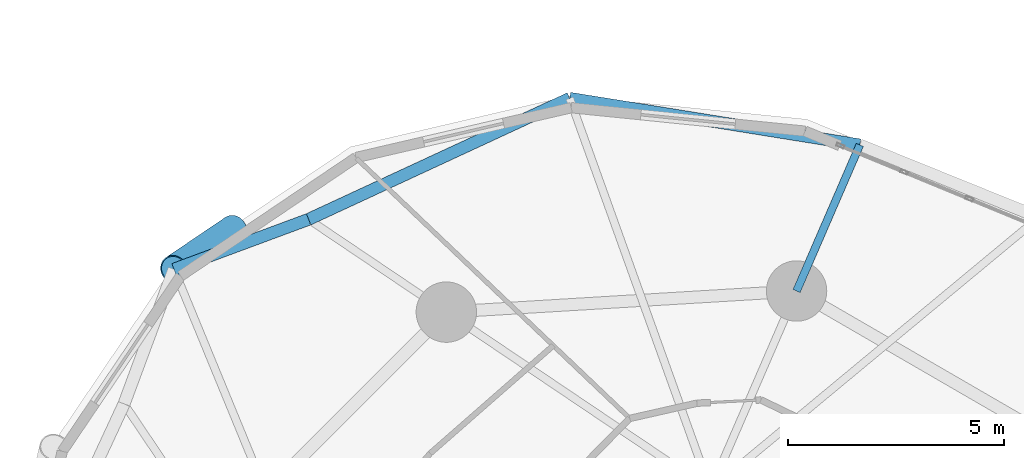
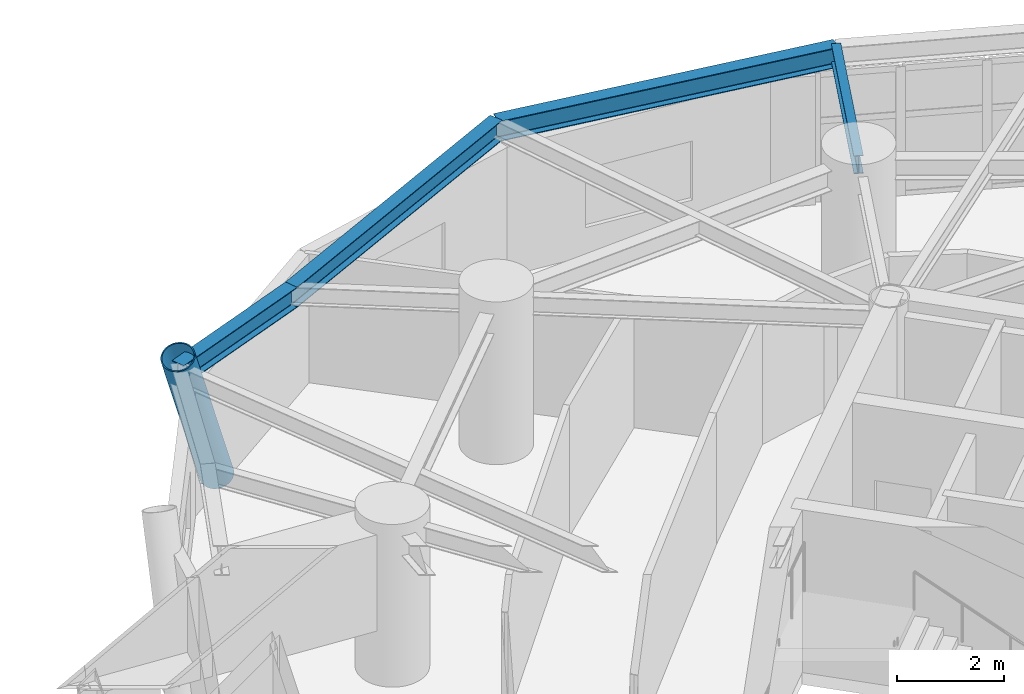
# One storey, part 6 of 17: 4 beams, 1 member.
"""IFC4 building model written with IfcOpenShell, lengths in metres."""

from ifc_helpers import new_model, si_unit, direction, frame, origin, origin_2d, place, context, subcontext, project, spatial, hollow_circle, i_section, extrude, material, material_profile, profile_set, type_object, element, save


model = new_model("IFC4")

# Units and contexts
model_context = context("Model", 3, precision=1e-05, world=origin(), true_north=direction((0.0, 1.0)))
body_context = subcontext(model_context, "Body", "Model", "MODEL_VIEW")
ifc_project = project(units=[si_unit("LENGTHUNIT", "METRE"), si_unit("AREAUNIT", "SQUARE_METRE"), si_unit("VOLUMEUNIT", "CUBIC_METRE"), si_unit("PLANEANGLEUNIT", "RADIAN"), si_unit("MASSUNIT", "GRAM", prefix="KILO")], contexts=[model_context])

# Site, building, storey
site_placement = place(None, origin())
site = spatial("IfcSite", under=ifc_project, at=site_placement, CompositionType="ELEMENT")
building_placement = place(site_placement, origin())
building = spatial("IfcBuilding", under=site, at=building_placement, Name="Cununo Teusaquillo Station Towers", CompositionType="ELEMENT")
storey_placement = place(building_placement, frame((0.0, 0.0, 125.43994140625)))
storey = spatial("IfcBuildingStorey", under=building, at=storey_placement, Name="L40", CompositionType="ELEMENT", Elevation=125.43994140625)

# Beams
ifc_material_1 = material(Name="Steel ASTM A572 Grade 50", Category="steel")
ifc_material_profile_1 = material_profile(ifc_material_1, i_section(OverallWidth=0.180908203125, OverallDepth=0.4169921875, WebThickness=0.010986328125, FlangeThickness=0.018310546875, FilletRadius=0.012939453125, at=origin_2d()), Name="W16X57")
ifc_profile_set_1 = profile_set([ifc_material_profile_1], Name="Steel ASTM A572 Grade 50")
beam_type_1 = type_object("IfcBeamType", Name="BM-RAD-G2", PredefinedType="BEAM", material=ifc_profile_set_1)
beam_1_placement = place(storey_placement, frame((58.291015625, 37.63525390625, 3.2314453125), z_axis=(0.397421761279, 0.917636062751, 0.0), x_axis=(-0.917636062751, 0.397421761279, 0.0)))
element("IfcBeam", 1, at=beam_1_placement, inside=storey, type_object=beam_type_1, Name="L40 Tower B Perimeter Overhang Girder 02B", PredefinedType="BEAM", context=body_context, shape_type="SweptSolid", body=[
    extrude(i_section(OverallWidth=0.180908203125, OverallDepth=0.4169921875, WebThickness=0.010986328125, FlangeThickness=0.018310546875, FilletRadius=0.012939453125, at=origin_2d()), origin(), (0.0, 0.0, 1.0), 3.690185546875),
])
ifc_material_2 = material(Name="Steel ASTM A572 Grade 50", Category="steel")
ifc_material_profile_2 = material_profile(ifc_material_2, i_section(OverallWidth=0.280029296875, OverallDepth=0.462890625, WebThickness=0.0107421875, FlangeThickness=0.017333984375, FilletRadius=0.013916015625, at=origin_2d()), Name="W18X76")
ifc_profile_set_2 = profile_set([ifc_material_profile_2], Name="Steel ASTM A572 Grade 50")
beam_type_2 = type_object("IfcBeamType", Name="BM-RING-Z2", PredefinedType="SPANDREL", material=ifc_profile_set_2)
beam_2_placement = place(storey_placement, frame((59.757568359375, 41.021484375, 3.20849609375), z_axis=(-0.987331474246, 0.158671232312, 0.0), x_axis=(-0.158671232312, -0.987331474246, 0.0)))
element("IfcBeam", 2, at=beam_2_placement, inside=storey, type_object=beam_type_2, Name="L40 Tower B Spandrel Ring Beam 03", PredefinedType="SPANDREL", context=body_context, shape_type="SweptSolid", body=[
    extrude(i_section(OverallWidth=0.280029296875, OverallDepth=0.462890625, WebThickness=0.0107421875, FlangeThickness=0.017333984375, FilletRadius=0.013916015625, at=origin_2d()), origin(), (0.0, 0.0, 1.0), 6.8115234375),
])
beam_3_placement = place(storey_placement, frame((53.0322265625, 42.102294921875, 3.20849609375), z_axis=(-0.907275870354, -0.420535961689, 0.0), x_axis=(0.420535961689, -0.907275870354, 0.0)))
element("IfcBeam", 3, at=beam_3_placement, inside=storey, type_object=beam_type_2, Name="L40 Tower B Spandrel Ring Beam 04", PredefinedType="SPANDREL", context=body_context, shape_type="SweptSolid", body=[
    extrude(i_section(OverallWidth=0.280029296875, OverallDepth=0.462890625, WebThickness=0.0107421875, FlangeThickness=0.017333984375, FilletRadius=0.013916015625, at=origin_2d()), origin(), (0.0, 0.0, 1.0), 6.671142578125),
])
beam_4_placement = place(storey_placement, frame((46.979736328125, 39.296875, 3.20849609375), z_axis=(-0.937628334414, -0.347639333943, 0.0), x_axis=(0.347639333943, -0.937628334414, 0.0)))
element("IfcBeam", 4, at=beam_4_placement, inside=storey, type_object=beam_type_2, Name="L40 Tower B Spandrel Ring Beam 05", PredefinedType="SPANDREL", context=body_context, shape_type="SweptSolid", body=[
    extrude(i_section(OverallWidth=0.280029296875, OverallDepth=0.462890625, WebThickness=0.0107421875, FlangeThickness=0.017333984375, FilletRadius=0.013916015625, at=origin_2d()), origin(), (0.0, 0.0, 1.0), 3.327392578125),
])

# Member
ifc_material_3 = material(Name="Steel EN 10025-2 S355J2", Category="steel")
ifc_material_profile_3 = material_profile(ifc_material_3, hollow_circle(Radius=0.330078125, WallThickness=0.02490234375, at=origin_2d()), Name="CHS 660x25")
ifc_profile_set_3 = profile_set([ifc_material_profile_3], Name="Steel EN 10025-2 S355J2")
member_type = type_object("IfcMemberType", Name="MBR-DIAG-Z2", PredefinedType="BRACE", material=ifc_profile_set_3)
member_placement = place(storey_placement, frame((45.2333984375, 39.068603515625, -0.139892578125), z_axis=(-0.337254741435, -0.227973654759, 0.913393262574), x_axis=(0.560024081213, -0.828476329452, 0.0)))
element("IfcMember", 5, at=member_placement, inside=storey, type_object=member_type, Name="L40 Tower B Folded-Zigzag Diagrid Tube C04", PredefinedType="BRACE", context=body_context, shape_type="SweptSolid", body=[
    extrude(hollow_circle(Radius=0.330078125, WallThickness=0.02490234375, at=origin_2d()), origin(), (0.0, 0.0, 1.0), 4.07275390625),
])

save(model, "model.ifc")
